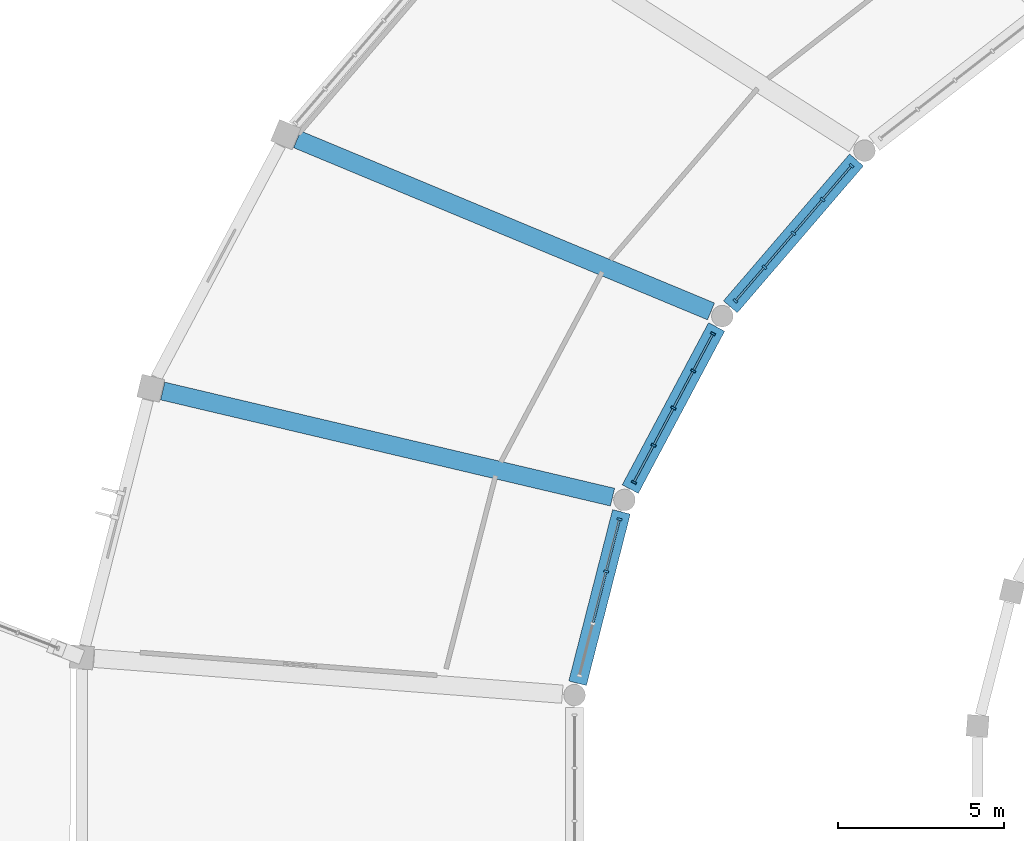
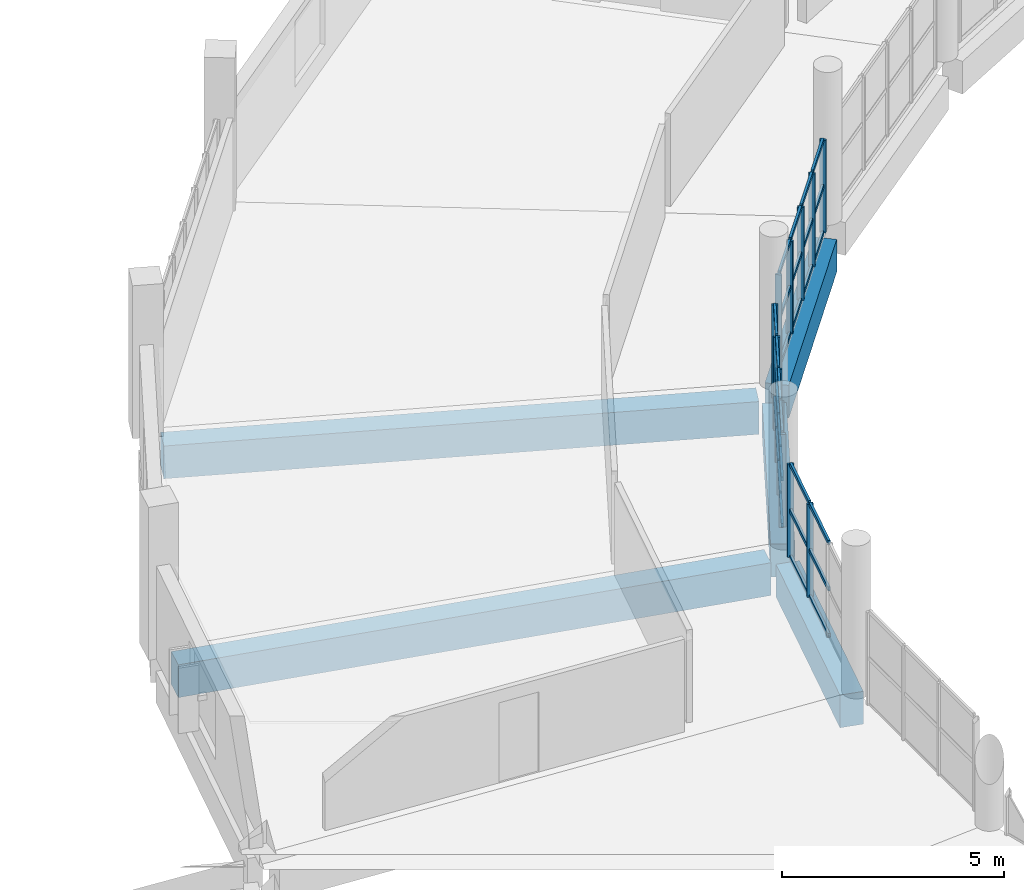
# One storey, part 11 of 142: 42 members, 5 beams, 3 elements without a shape of their own.
"""IFC4 building model written with IfcOpenShell, lengths in metres."""

from ifc_helpers import new_model, si_unit, direction, frame, origin, origin_2d, place, context, subcontext, project, spatial, rectangle, extrude, material, layer, layer_set, material_profile, profile_set, type_object, element, aggregate, save


model = new_model("IFC4")

# Units and contexts
model_context = context("Model", 3, precision=1e-05, world=origin(), true_north=direction((0.0, 1.0)))
body_context = subcontext(model_context, "Body", "Model", "MODEL_VIEW")
ifc_project = project(units=[si_unit("LENGTHUNIT", "METRE"), si_unit("AREAUNIT", "SQUARE_METRE"), si_unit("VOLUMEUNIT", "CUBIC_METRE"), si_unit("PLANEANGLEUNIT", "RADIAN"), si_unit("MASSUNIT", "GRAM", prefix="KILO")], contexts=[model_context])

# Site, building, storey
site_placement = place(None, origin())
site = spatial("IfcSite", under=ifc_project, at=site_placement, CompositionType="ELEMENT")
building_placement = place(site_placement, origin())
building = spatial("IfcBuilding", under=site, at=building_placement, Name="Corvandel Quay Wholesale Market", CompositionType="ELEMENT")
storey_placement = place(building_placement, frame((0.0, 0.0, 10.800048828125)))
storey = spatial("IfcBuildingStorey", under=building, at=storey_placement, Name="L02", CompositionType="ELEMENT", Elevation=10.800048828125)

# Curtain wall, members
ifc_material_1 = material(Name="Bronze anodised aluminium and low-E insulated glazing", Category="aluminium")
ifc_layer_1 = layer(ifc_material_1, 0.162109375)
ifc_layer_set_1 = layer_set([ifc_layer_1], Name="Bronze anodised aluminium and low-E insulated glazing")
curtain_wall_type_1 = type_object("IfcCurtainWallType", Name="Stick Curtain Wall System CW06 H3540", PredefinedType="NOTDEFINED", material=ifc_layer_set_1)
curtain_wall_1_placement = place(storey_placement, origin())
curtain_wall_1 = element("IfcCurtainWall", 1, at=curtain_wall_1_placement, inside=storey, type_object=curtain_wall_type_1, Name="Curtain Wall CW-0039", PredefinedType="NOTDEFINED")
ifc_material_2 = material(Name="Anodised aluminium 6063-T6", Category="aluminium")
ifc_material_profile_1 = material_profile(ifc_material_2, rectangle(XDim=0.06494140625, YDim=0.14990234375, at=origin_2d()), Name="ALU-MUL-65x150")
ifc_profile_set_1 = profile_set([ifc_material_profile_1], Name="Anodised aluminium 6063-T6")
member_type_1 = type_object("IfcMemberType", Name="Curtain Wall Mullion ML02 65x150", PredefinedType="MULLION", material=ifc_profile_set_1)
member_1_placement = place(storey_placement, frame((83.19921875, 60.955810546875, 0.0), z_axis=(0.0, 0.0, 1.0), x_axis=(0.651568967347, 0.758589401976, 0.0)))
member_1 = element("IfcMember", 2, at=member_1_placement, type_object=member_type_1, Name="Mullion CW-0039-M00", PredefinedType="MULLION", context=body_context, shape_type="SweptSolid", body=[
    extrude(rectangle(XDim=0.06494140625, YDim=0.14990234375, at=origin_2d()), origin(), (0.0, 0.0, 1.0), 2.550048828125),
])
member_2_placement = place(storey_placement, frame((82.323486328125, 59.9365234375, 0.0), z_axis=(0.0, 0.0, 1.0), x_axis=(0.651568967347, 0.758589401976, 0.0)))
member_2 = element("IfcMember", 3, at=member_2_placement, type_object=member_type_1, Name="Mullion CW-0039-M01", PredefinedType="MULLION", context=body_context, shape_type="SweptSolid", body=[
    extrude(rectangle(XDim=0.06494140625, YDim=0.14990234375, at=origin_2d()), origin(), (0.0, 0.0, 1.0), 2.550048828125),
])
member_3_placement = place(storey_placement, frame((81.447998046875, 58.9169921875, 0.0), z_axis=(0.0, 0.0, 1.0), x_axis=(0.651568967347, 0.758589401976, 0.0)))
member_3 = element("IfcMember", 4, at=member_3_placement, type_object=member_type_1, Name="Mullion CW-0039-M02", PredefinedType="MULLION", context=body_context, shape_type="SweptSolid", body=[
    extrude(rectangle(XDim=0.06494140625, YDim=0.14990234375, at=origin_2d()), origin(), (0.0, 0.0, 1.0), 2.550048828125),
])
member_4_placement = place(storey_placement, frame((80.572509765625, 57.897705078125, 0.0), z_axis=(0.0, 0.0, 1.0), x_axis=(0.651568967347, 0.758589401976, 0.0)))
member_4 = element("IfcMember", 5, at=member_4_placement, type_object=member_type_1, Name="Mullion CW-0039-M03", PredefinedType="MULLION", context=body_context, shape_type="SweptSolid", body=[
    extrude(rectangle(XDim=0.06494140625, YDim=0.14990234375, at=origin_2d()), origin(), (0.0, 0.0, 1.0), 2.550048828125),
])
member_5_placement = place(storey_placement, frame((79.697021484375, 56.878173828125, 0.0), z_axis=(0.0, 0.0, 1.0), x_axis=(0.651568967347, 0.758589401976, 0.0)))
member_5 = element("IfcMember", 6, at=member_5_placement, type_object=member_type_1, Name="Mullion CW-0039-M04", PredefinedType="MULLION", context=body_context, shape_type="SweptSolid", body=[
    extrude(rectangle(XDim=0.06494140625, YDim=0.14990234375, at=origin_2d()), origin(), (0.0, 0.0, 1.0), 2.550048828125),
])

ifc_layer_2 = layer(ifc_material_1, 0.174072265625)
ifc_layer_set_2 = layer_set([ifc_layer_2], Name="Bronze anodised aluminium and low-E insulated glazing")
curtain_wall_type_2 = type_object("IfcCurtainWallType", Name="Stick Curtain Wall System CW07 H3630", PredefinedType="NOTDEFINED", material=ifc_layer_set_2)
curtain_wall_2_placement = place(storey_placement, origin())
curtain_wall_2 = element("IfcCurtainWall", 7, at=curtain_wall_2_placement, inside=storey, type_object=curtain_wall_type_2, Name="Curtain Wall CW-0042", PredefinedType="NOTDEFINED")
member_6_placement = place(storey_placement, frame((79.02392578125, 55.893310546875, 0.0), z_axis=(0.0, 0.0, 1.0), x_axis=(0.470087862033, 0.882619624736, 0.0)))
member_6 = element("IfcMember", 8, at=member_6_placement, type_object=member_type_1, Name="Mullion CW-0042-M00", PredefinedType="MULLION", context=body_context, shape_type="SweptSolid", body=[
    extrude(rectangle(XDim=0.06494140625, YDim=0.14990234375, at=origin_2d()), origin(), (0.0, 0.0, 1.0), 2.550048828125),
])
member_7_placement = place(storey_placement, frame((78.42724609375, 54.77294921875, 0.0), z_axis=(0.0, 0.0, 1.0), x_axis=(0.470087862033, 0.882619624736, 0.0)))
member_7 = element("IfcMember", 9, at=member_7_placement, type_object=member_type_1, Name="Mullion CW-0042-M01", PredefinedType="MULLION", context=body_context, shape_type="SweptSolid", body=[
    extrude(rectangle(XDim=0.06494140625, YDim=0.14990234375, at=origin_2d()), origin(), (0.0, 0.0, 1.0), 2.550048828125),
])
member_8_placement = place(storey_placement, frame((77.83056640625, 53.652587890625, 0.0), z_axis=(0.0, 0.0, 1.0), x_axis=(0.470087862033, 0.882619624736, 0.0)))
member_8 = element("IfcMember", 10, at=member_8_placement, type_object=member_type_1, Name="Mullion CW-0042-M02", PredefinedType="MULLION", context=body_context, shape_type="SweptSolid", body=[
    extrude(rectangle(XDim=0.06494140625, YDim=0.14990234375, at=origin_2d()), origin(), (0.0, 0.0, 1.0), 2.550048828125),
])
member_9_placement = place(storey_placement, frame((77.23388671875, 52.531982421875, 0.0), z_axis=(0.0, 0.0, 1.0), x_axis=(0.470087862033, 0.882619624736, 0.0)))
member_9 = element("IfcMember", 11, at=member_9_placement, type_object=member_type_1, Name="Mullion CW-0042-M03", PredefinedType="MULLION", context=body_context, shape_type="SweptSolid", body=[
    extrude(rectangle(XDim=0.06494140625, YDim=0.14990234375, at=origin_2d()), origin(), (0.0, 0.0, 1.0), 2.550048828125),
])
member_10_placement = place(storey_placement, frame((76.636962890625, 51.41162109375, 0.0), z_axis=(0.0, 0.0, 1.0), x_axis=(0.470087862033, 0.882619624736, 0.0)))
member_10 = element("IfcMember", 12, at=member_10_placement, type_object=member_type_1, Name="Mullion CW-0042-M04", PredefinedType="MULLION", context=body_context, shape_type="SweptSolid", body=[
    extrude(rectangle(XDim=0.06494140625, YDim=0.14990234375, at=origin_2d()), origin(), (0.0, 0.0, 1.0), 2.550048828125),
])

ifc_layer_3 = layer(ifc_material_1, 0.18603515625)
ifc_layer_set_3 = layer_set([ifc_layer_3], Name="Bronze anodised aluminium and low-E insulated glazing")
curtain_wall_type_3 = type_object("IfcCurtainWallType", Name="Stick Curtain Wall System CW08 H3720", PredefinedType="NOTDEFINED", material=ifc_layer_set_3)
curtain_wall_3_placement = place(storey_placement, origin())
curtain_wall_3 = element("IfcCurtainWall", 13, at=curtain_wall_3_placement, inside=storey, type_object=curtain_wall_type_3, Name="Curtain Wall CW-0045", PredefinedType="NOTDEFINED")
member_11_placement = place(storey_placement, frame((76.206298828125, 50.30078125, 0.0), z_axis=(0.0, 0.0, 1.0), x_axis=(0.247844544316, 0.968799815159, 0.0)))
member_11 = element("IfcMember", 14, at=member_11_placement, type_object=member_type_1, Name="Mullion CW-0045-M00", PredefinedType="MULLION", context=body_context, shape_type="SweptSolid", body=[
    extrude(rectangle(XDim=0.06494140625, YDim=0.14990234375, at=origin_2d()), origin(), (0.0, 0.0, 1.0), 2.550048828125),
])
member_12_placement = place(storey_placement, frame((75.8037109375, 48.727294921875, 0.0), z_axis=(0.0, 0.0, 1.0), x_axis=(0.247844544316, 0.968799815159, 0.0)))
member_12 = element("IfcMember", 15, at=member_12_placement, type_object=member_type_1, Name="Mullion CW-0045-M01", PredefinedType="MULLION", context=body_context, shape_type="SweptSolid", body=[
    extrude(rectangle(XDim=0.06494140625, YDim=0.14990234375, at=origin_2d()), origin(), (0.0, 0.0, 1.0), 2.550048828125),
])

# Member
ifc_material_profile_2 = material_profile(ifc_material_2, rectangle(XDim=0.06005859375, YDim=0.110107421875, at=origin_2d()), Name="ALU-TRN-60x110")
ifc_profile_set_2 = profile_set([ifc_material_profile_2], Name="Anodised aluminium 6063-T6")
member_type_2 = type_object("IfcMemberType", Name="Curtain Wall Transom TR02 60x110", PredefinedType="USERDEFINED", material=ifc_profile_set_2)
member_13_placement = place(storey_placement, frame((83.177978515625, 60.93115234375, 0.0), z_axis=(-0.651624309471, -0.758541863911, 0.0), x_axis=(0.758541863911, -0.651624309471, 0.0)))
member_13 = element("IfcMember", 16, at=member_13_placement, type_object=member_type_2, Name="Transom CW-0039-T00-0", ObjectType="TRANSOM", PredefinedType="USERDEFINED", context=body_context, shape_type="SweptSolid", body=[
    extrude(rectangle(XDim=0.06005859375, YDim=0.110107421875, at=origin_2d()), origin(), (0.0, 0.0, 1.0), 1.27880859375),
])

member_14_placement = place(storey_placement, frame((83.177978515625, 60.93115234375, 1.27490234375), z_axis=(-0.651624309471, -0.758541863911, 0.0), x_axis=(0.758541863911, -0.651624309471, 0.0)))
member_14 = element("IfcMember", 17, at=member_14_placement, type_object=member_type_2, Name="Transom CW-0039-T00-1", ObjectType="TRANSOM", PredefinedType="USERDEFINED", context=body_context, shape_type="SweptSolid", body=[
    extrude(rectangle(XDim=0.06005859375, YDim=0.110107421875, at=origin_2d()), origin(), (0.0, 0.0, 1.0), 1.27880859375),
])

member_15_placement = place(storey_placement, frame((83.177978515625, 60.93115234375, 2.550048828125), z_axis=(-0.651624309471, -0.758541863911, 0.0), x_axis=(0.758541863911, -0.651624309471, 0.0)))
member_15 = element("IfcMember", 18, at=member_15_placement, type_object=member_type_2, Name="Transom CW-0039-T00-2", ObjectType="TRANSOM", PredefinedType="USERDEFINED", context=body_context, shape_type="SweptSolid", body=[
    extrude(rectangle(XDim=0.06005859375, YDim=0.110107421875, at=origin_2d()), origin(), (0.0, 0.0, 1.0), 1.27880859375),
])

member_16_placement = place(storey_placement, frame((82.302490234375, 59.911865234375, 0.0), z_axis=(-0.651529947256, -0.758622915439, 0.0), x_axis=(0.758622915439, -0.651529947256, 0.0)))
member_16 = element("IfcMember", 19, at=member_16_placement, type_object=member_type_2, Name="Transom CW-0039-T01-0", ObjectType="TRANSOM", PredefinedType="USERDEFINED", context=body_context, shape_type="SweptSolid", body=[
    extrude(rectangle(XDim=0.06005859375, YDim=0.110107421875, at=origin_2d()), origin(), (0.0, 0.0, 1.0), 1.27880859375),
])

member_17_placement = place(storey_placement, frame((82.302490234375, 59.911865234375, 1.27490234375), z_axis=(-0.651529947256, -0.758622915439, 0.0), x_axis=(0.758622915439, -0.651529947256, 0.0)))
member_17 = element("IfcMember", 20, at=member_17_placement, type_object=member_type_2, Name="Transom CW-0039-T01-1", ObjectType="TRANSOM", PredefinedType="USERDEFINED", context=body_context, shape_type="SweptSolid", body=[
    extrude(rectangle(XDim=0.06005859375, YDim=0.110107421875, at=origin_2d()), origin(), (0.0, 0.0, 1.0), 1.27880859375),
])

member_18_placement = place(storey_placement, frame((82.302490234375, 59.911865234375, 2.550048828125), z_axis=(-0.651529947256, -0.758622915439, 0.0), x_axis=(0.758622915439, -0.651529947256, 0.0)))
member_18 = element("IfcMember", 21, at=member_18_placement, type_object=member_type_2, Name="Transom CW-0039-T01-2", ObjectType="TRANSOM", PredefinedType="USERDEFINED", context=body_context, shape_type="SweptSolid", body=[
    extrude(rectangle(XDim=0.06005859375, YDim=0.110107421875, at=origin_2d()), origin(), (0.0, 0.0, 1.0), 1.27880859375),
])

member_19_placement = place(storey_placement, frame((81.4267578125, 58.892333984375, 0.0), z_axis=(-0.651529947256, -0.758622915439, 0.0), x_axis=(0.758622915439, -0.651529947256, 0.0)))
member_19 = element("IfcMember", 22, at=member_19_placement, type_object=member_type_2, Name="Transom CW-0039-T02-0", ObjectType="TRANSOM", PredefinedType="USERDEFINED", context=body_context, shape_type="SweptSolid", body=[
    extrude(rectangle(XDim=0.06005859375, YDim=0.110107421875, at=origin_2d()), origin(), (0.0, 0.0, 1.0), 1.27880859375),
])

member_20_placement = place(storey_placement, frame((81.4267578125, 58.892333984375, 1.27490234375), z_axis=(-0.651529947256, -0.758622915439, 0.0), x_axis=(0.758622915439, -0.651529947256, 0.0)))
member_20 = element("IfcMember", 23, at=member_20_placement, type_object=member_type_2, Name="Transom CW-0039-T02-1", ObjectType="TRANSOM", PredefinedType="USERDEFINED", context=body_context, shape_type="SweptSolid", body=[
    extrude(rectangle(XDim=0.06005859375, YDim=0.110107421875, at=origin_2d()), origin(), (0.0, 0.0, 1.0), 1.27880859375),
])

member_21_placement = place(storey_placement, frame((81.4267578125, 58.892333984375, 2.550048828125), z_axis=(-0.651529947256, -0.758622915439, 0.0), x_axis=(0.758622915439, -0.651529947256, 0.0)))
member_21 = element("IfcMember", 24, at=member_21_placement, type_object=member_type_2, Name="Transom CW-0039-T02-2", ObjectType="TRANSOM", PredefinedType="USERDEFINED", context=body_context, shape_type="SweptSolid", body=[
    extrude(rectangle(XDim=0.06005859375, YDim=0.110107421875, at=origin_2d()), origin(), (0.0, 0.0, 1.0), 1.27880859375),
])

member_22_placement = place(storey_placement, frame((80.55126953125, 57.872802734375, 0.0), z_axis=(-0.651624309471, -0.758541863911, 0.0), x_axis=(0.758541863911, -0.651624309471, 0.0)))
member_22 = element("IfcMember", 25, at=member_22_placement, type_object=member_type_2, Name="Transom CW-0039-T03-0", ObjectType="TRANSOM", PredefinedType="USERDEFINED", context=body_context, shape_type="SweptSolid", body=[
    extrude(rectangle(XDim=0.06005859375, YDim=0.110107421875, at=origin_2d()), origin(), (0.0, 0.0, 1.0), 1.27880859375),
])

member_23_placement = place(storey_placement, frame((80.55126953125, 57.872802734375, 1.27490234375), z_axis=(-0.651624309471, -0.758541863911, 0.0), x_axis=(0.758541863911, -0.651624309471, 0.0)))
member_23 = element("IfcMember", 26, at=member_23_placement, type_object=member_type_2, Name="Transom CW-0039-T03-1", ObjectType="TRANSOM", PredefinedType="USERDEFINED", context=body_context, shape_type="SweptSolid", body=[
    extrude(rectangle(XDim=0.06005859375, YDim=0.110107421875, at=origin_2d()), origin(), (0.0, 0.0, 1.0), 1.27880859375),
])

member_24_placement = place(storey_placement, frame((80.55126953125, 57.872802734375, 2.550048828125), z_axis=(-0.651624309471, -0.758541863911, 0.0), x_axis=(0.758541863911, -0.651624309471, 0.0)))
member_24 = element("IfcMember", 27, at=member_24_placement, type_object=member_type_2, Name="Transom CW-0039-T03-2", ObjectType="TRANSOM", PredefinedType="USERDEFINED", context=body_context, shape_type="SweptSolid", body=[
    extrude(rectangle(XDim=0.06005859375, YDim=0.110107421875, at=origin_2d()), origin(), (0.0, 0.0, 1.0), 1.27880859375),
])

aggregate(curtain_wall_1, [member_1, member_2, member_3, member_4, member_5, member_13, member_14, member_15, member_16, member_17, member_18, member_19, member_20, member_21, member_22, member_23, member_24])

member_25_placement = place(storey_placement, frame((79.0087890625, 55.86474609375, 0.0), z_axis=(-0.470167437755, -0.882577237682, 0.0), x_axis=(0.882577237682, -0.470167437755, 0.0)))
member_25 = element("IfcMember", 28, at=member_25_placement, type_object=member_type_2, Name="Transom CW-0042-T00-0", ObjectType="TRANSOM", PredefinedType="USERDEFINED", context=body_context, shape_type="SweptSolid", body=[
    extrude(rectangle(XDim=0.06005859375, YDim=0.110107421875, at=origin_2d()), origin(), (0.0, 0.0, 1.0), 1.20458984375),
])

member_26_placement = place(storey_placement, frame((79.0087890625, 55.86474609375, 1.27490234375), z_axis=(-0.470167437755, -0.882577237682, 0.0), x_axis=(0.882577237682, -0.470167437755, 0.0)))
member_26 = element("IfcMember", 29, at=member_26_placement, type_object=member_type_2, Name="Transom CW-0042-T00-1", ObjectType="TRANSOM", PredefinedType="USERDEFINED", context=body_context, shape_type="SweptSolid", body=[
    extrude(rectangle(XDim=0.06005859375, YDim=0.110107421875, at=origin_2d()), origin(), (0.0, 0.0, 1.0), 1.20458984375),
])

member_27_placement = place(storey_placement, frame((79.0087890625, 55.86474609375, 2.550048828125), z_axis=(-0.470167437755, -0.882577237682, 0.0), x_axis=(0.882577237682, -0.470167437755, 0.0)))
member_27 = element("IfcMember", 30, at=member_27_placement, type_object=member_type_2, Name="Transom CW-0042-T00-2", ObjectType="TRANSOM", PredefinedType="USERDEFINED", context=body_context, shape_type="SweptSolid", body=[
    extrude(rectangle(XDim=0.06005859375, YDim=0.110107421875, at=origin_2d()), origin(), (0.0, 0.0, 1.0), 1.20458984375),
])

member_28_placement = place(storey_placement, frame((78.412109375, 54.744384765625, 0.0), z_axis=(-0.470167437755, -0.882577237682, 0.0), x_axis=(0.882577237682, -0.470167437755, 0.0)))
member_28 = element("IfcMember", 31, at=member_28_placement, type_object=member_type_2, Name="Transom CW-0042-T01-0", ObjectType="TRANSOM", PredefinedType="USERDEFINED", context=body_context, shape_type="SweptSolid", body=[
    extrude(rectangle(XDim=0.06005859375, YDim=0.110107421875, at=origin_2d()), origin(), (0.0, 0.0, 1.0), 1.20458984375),
])

member_29_placement = place(storey_placement, frame((78.412109375, 54.744384765625, 1.27490234375), z_axis=(-0.470167437755, -0.882577237682, 0.0), x_axis=(0.882577237682, -0.470167437755, 0.0)))
member_29 = element("IfcMember", 32, at=member_29_placement, type_object=member_type_2, Name="Transom CW-0042-T01-1", ObjectType="TRANSOM", PredefinedType="USERDEFINED", context=body_context, shape_type="SweptSolid", body=[
    extrude(rectangle(XDim=0.06005859375, YDim=0.110107421875, at=origin_2d()), origin(), (0.0, 0.0, 1.0), 1.20458984375),
])

member_30_placement = place(storey_placement, frame((78.412109375, 54.744384765625, 2.550048828125), z_axis=(-0.470167437755, -0.882577237682, 0.0), x_axis=(0.882577237682, -0.470167437755, 0.0)))
member_30 = element("IfcMember", 33, at=member_30_placement, type_object=member_type_2, Name="Transom CW-0042-T01-2", ObjectType="TRANSOM", PredefinedType="USERDEFINED", context=body_context, shape_type="SweptSolid", body=[
    extrude(rectangle(XDim=0.06005859375, YDim=0.110107421875, at=origin_2d()), origin(), (0.0, 0.0, 1.0), 1.20458984375),
])

member_31_placement = place(storey_placement, frame((77.815185546875, 53.623779296875, 0.0), z_axis=(-0.470093651578, -0.882616541169, 0.0), x_axis=(0.882616541169, -0.470093651578, 0.0)))
member_31 = element("IfcMember", 34, at=member_31_placement, type_object=member_type_2, Name="Transom CW-0042-T02-0", ObjectType="TRANSOM", PredefinedType="USERDEFINED", context=body_context, shape_type="SweptSolid", body=[
    extrude(rectangle(XDim=0.06005859375, YDim=0.110107421875, at=origin_2d()), origin(), (0.0, 0.0, 1.0), 1.204345703125),
])

member_32_placement = place(storey_placement, frame((77.815185546875, 53.623779296875, 1.27490234375), z_axis=(-0.470093651578, -0.882616541169, 0.0), x_axis=(0.882616541169, -0.470093651578, 0.0)))
member_32 = element("IfcMember", 35, at=member_32_placement, type_object=member_type_2, Name="Transom CW-0042-T02-1", ObjectType="TRANSOM", PredefinedType="USERDEFINED", context=body_context, shape_type="SweptSolid", body=[
    extrude(rectangle(XDim=0.06005859375, YDim=0.110107421875, at=origin_2d()), origin(), (0.0, 0.0, 1.0), 1.204345703125),
])

member_33_placement = place(storey_placement, frame((77.815185546875, 53.623779296875, 2.550048828125), z_axis=(-0.470093651578, -0.882616541169, 0.0), x_axis=(0.882616541169, -0.470093651578, 0.0)))
member_33 = element("IfcMember", 36, at=member_33_placement, type_object=member_type_2, Name="Transom CW-0042-T02-2", ObjectType="TRANSOM", PredefinedType="USERDEFINED", context=body_context, shape_type="SweptSolid", body=[
    extrude(rectangle(XDim=0.06005859375, YDim=0.110107421875, at=origin_2d()), origin(), (0.0, 0.0, 1.0), 1.204345703125),
])

member_34_placement = place(storey_placement, frame((77.218505859375, 52.50341796875, 0.0), z_axis=(-0.470009555952, -0.882661326508, 0.0), x_axis=(0.882661326508, -0.470009555952, 0.0)))
member_34 = element("IfcMember", 37, at=member_34_placement, type_object=member_type_2, Name="Transom CW-0042-T03-0", ObjectType="TRANSOM", PredefinedType="USERDEFINED", context=body_context, shape_type="SweptSolid", body=[
    extrude(rectangle(XDim=0.06005859375, YDim=0.110107421875, at=origin_2d()), origin(), (0.0, 0.0, 1.0), 1.20458984375),
])

member_35_placement = place(storey_placement, frame((77.218505859375, 52.50341796875, 1.27490234375), z_axis=(-0.470009555952, -0.882661326508, 0.0), x_axis=(0.882661326508, -0.470009555952, 0.0)))
member_35 = element("IfcMember", 38, at=member_35_placement, type_object=member_type_2, Name="Transom CW-0042-T03-1", ObjectType="TRANSOM", PredefinedType="USERDEFINED", context=body_context, shape_type="SweptSolid", body=[
    extrude(rectangle(XDim=0.06005859375, YDim=0.110107421875, at=origin_2d()), origin(), (0.0, 0.0, 1.0), 1.20458984375),
])

member_36_placement = place(storey_placement, frame((77.218505859375, 52.50341796875, 2.550048828125), z_axis=(-0.470009555952, -0.882661326508, 0.0), x_axis=(0.882661326508, -0.470009555952, 0.0)))
member_36 = element("IfcMember", 39, at=member_36_placement, type_object=member_type_2, Name="Transom CW-0042-T03-2", ObjectType="TRANSOM", PredefinedType="USERDEFINED", context=body_context, shape_type="SweptSolid", body=[
    extrude(rectangle(XDim=0.06005859375, YDim=0.110107421875, at=origin_2d()), origin(), (0.0, 0.0, 1.0), 1.20458984375),
])

aggregate(curtain_wall_2, [member_6, member_7, member_8, member_9, member_10, member_25, member_26, member_27, member_28, member_29, member_30, member_31, member_32, member_33, member_34, member_35, member_36])

member_37_placement = place(storey_placement, frame((76.1982421875, 50.269287109375, 0.0), z_axis=(-0.247874263937, -0.968792211611, 0.0), x_axis=(0.968792211611, -0.247874263937, 0.0)))
member_37 = element("IfcMember", 40, at=member_37_placement, type_object=member_type_2, Name="Transom CW-0045-T00-0", ObjectType="TRANSOM", PredefinedType="USERDEFINED", context=body_context, shape_type="SweptSolid", body=[
    extrude(rectangle(XDim=0.06005859375, YDim=0.110107421875, at=origin_2d()), origin(), (0.0, 0.0, 1.0), 1.55908203125),
])

member_38_placement = place(storey_placement, frame((76.1982421875, 50.269287109375, 1.27490234375), z_axis=(-0.247874263937, -0.968792211611, 0.0), x_axis=(0.968792211611, -0.247874263937, 0.0)))
member_38 = element("IfcMember", 41, at=member_38_placement, type_object=member_type_2, Name="Transom CW-0045-T00-1", ObjectType="TRANSOM", PredefinedType="USERDEFINED", context=body_context, shape_type="SweptSolid", body=[
    extrude(rectangle(XDim=0.06005859375, YDim=0.110107421875, at=origin_2d()), origin(), (0.0, 0.0, 1.0), 1.55908203125),
])

member_39_placement = place(storey_placement, frame((76.1982421875, 50.269287109375, 2.550048828125), z_axis=(-0.247874263937, -0.968792211611, 0.0), x_axis=(0.968792211611, -0.247874263937, 0.0)))
member_39 = element("IfcMember", 42, at=member_39_placement, type_object=member_type_2, Name="Transom CW-0045-T00-2", ObjectType="TRANSOM", PredefinedType="USERDEFINED", context=body_context, shape_type="SweptSolid", body=[
    extrude(rectangle(XDim=0.06005859375, YDim=0.110107421875, at=origin_2d()), origin(), (0.0, 0.0, 1.0), 1.55908203125),
])

member_40_placement = place(storey_placement, frame((75.795654296875, 48.69580078125, 0.0), z_axis=(-0.247874263937, -0.968792211611, 0.0), x_axis=(0.968792211611, -0.247874263937, 0.0)))
member_40 = element("IfcMember", 43, at=member_40_placement, type_object=member_type_2, Name="Transom CW-0045-T01-0", ObjectType="TRANSOM", PredefinedType="USERDEFINED", context=body_context, shape_type="SweptSolid", body=[
    extrude(rectangle(XDim=0.06005859375, YDim=0.110107421875, at=origin_2d()), origin(), (0.0, 0.0, 1.0), 1.55908203125),
])

member_41_placement = place(storey_placement, frame((75.795654296875, 48.69580078125, 1.27490234375), z_axis=(-0.247874263937, -0.968792211611, 0.0), x_axis=(0.968792211611, -0.247874263937, 0.0)))
member_41 = element("IfcMember", 44, at=member_41_placement, type_object=member_type_2, Name="Transom CW-0045-T01-1", ObjectType="TRANSOM", PredefinedType="USERDEFINED", context=body_context, shape_type="SweptSolid", body=[
    extrude(rectangle(XDim=0.06005859375, YDim=0.110107421875, at=origin_2d()), origin(), (0.0, 0.0, 1.0), 1.55908203125),
])

member_42_placement = place(storey_placement, frame((75.795654296875, 48.69580078125, 2.550048828125), z_axis=(-0.247874263937, -0.968792211611, 0.0), x_axis=(0.968792211611, -0.247874263937, 0.0)))
member_42 = element("IfcMember", 45, at=member_42_placement, type_object=member_type_2, Name="Transom CW-0045-T01-2", ObjectType="TRANSOM", PredefinedType="USERDEFINED", context=body_context, shape_type="SweptSolid", body=[
    extrude(rectangle(XDim=0.06005859375, YDim=0.110107421875, at=origin_2d()), origin(), (0.0, 0.0, 1.0), 1.55908203125),
])

aggregate(curtain_wall_3, [member_11, member_12, member_37, member_38, member_39, member_40, member_41, member_42])

# Beams
ifc_material_3 = material(Name="Precast concrete C45/55", Category="concrete")
ifc_material_profile_3 = material_profile(ifc_material_3, rectangle(XDim=0.550048828125, YDim=0.89990234375, at=origin_2d()), Name="PC-GIR-550x900")
ifc_profile_set_3 = profile_set([ifc_material_profile_3], Name="Precast concrete C45/55")
beam_type = type_object("IfcBeamType", Name="Produce Hall Radial Girder G03 550x900", PredefinedType="USERDEFINED", material=ifc_profile_set_3)
beam_1_placement = place(storey_placement, frame((83.348876953125, 61.13037109375, -0.77001953125), z_axis=(-0.651521537179, -0.758630138205, 0.0), x_axis=(0.758630138205, -0.651521537179, 0.0)))
element("IfcBeam", 46, at=beam_1_placement, inside=storey, type_object=beam_type, Name="Beam BM-0160", ObjectType="GIRDER", PredefinedType="USERDEFINED", context=body_context, shape_type="SweptSolid", body=[
    extrude(rectangle(XDim=0.550048828125, YDim=0.89990234375, at=origin_2d()), origin(), (0.0, 0.0, 1.0), 5.835205078125),
])
beam_2_placement = place(storey_placement, frame((79.132080078125, 56.096435546875, -0.77001953125), z_axis=(-0.470077899921, -0.882624930537, 0.0), x_axis=(0.882624930537, -0.470077899921, 0.0)))
element("IfcBeam", 47, at=beam_2_placement, inside=storey, type_object=beam_type, Name="Beam BM-0173", ObjectType="GIRDER", PredefinedType="USERDEFINED", context=body_context, shape_type="SweptSolid", body=[
    extrude(rectangle(XDim=0.550048828125, YDim=0.89990234375, at=origin_2d()), origin(), (0.0, 0.0, 1.0), 5.537841796875),
])
beam_3_placement = place(storey_placement, frame((66.48779296875, 61.751953125, -0.77001953125), z_axis=(0.923380274271, -0.383886531527, 0.0), x_axis=(0.383886531527, 0.923380274271, 0.0)))
element("IfcBeam", 48, at=beam_3_placement, inside=storey, type_object=beam_type, Name="Beam BM-0175", ObjectType="GIRDER", PredefinedType="USERDEFINED", context=body_context, shape_type="SweptSolid", body=[
    extrude(rectangle(XDim=0.550048828125, YDim=0.89990234375, at=origin_2d()), origin(), (0.0, 0.0, 1.0), 13.51171875),
])
beam_4_placement = place(storey_placement, frame((76.26318359375, 50.5234375, -0.77001953125), z_axis=(-0.247832250622, -0.968802960127, 0.0), x_axis=(0.968802960127, -0.247832250622, 0.0)))
element("IfcBeam", 49, at=beam_4_placement, inside=storey, type_object=beam_type, Name="Beam BM-0186", ObjectType="GIRDER", PredefinedType="USERDEFINED", context=body_context, shape_type="SweptSolid", body=[
    extrude(rectangle(XDim=0.550048828125, YDim=0.89990234375, at=origin_2d()), origin(), (0.0, 0.0, 1.0), 5.332275390625),
])
beam_5_placement = place(storey_placement, frame((62.43505859375, 54.166015625, -0.77001953125), z_axis=(0.973282095962, -0.229612633971, 0.0), x_axis=(0.229612633971, 0.973282095962, 0.0)))
element("IfcBeam", 50, at=beam_5_placement, inside=storey, type_object=beam_type, Name="Beam BM-0188", ObjectType="GIRDER", PredefinedType="USERDEFINED", context=body_context, shape_type="SweptSolid", body=[
    extrude(rectangle(XDim=0.550048828125, YDim=0.89990234375, at=origin_2d()), origin(), (0.0, 0.0, 1.0), 13.93212890625),
])

save(model, "model.ifc")
